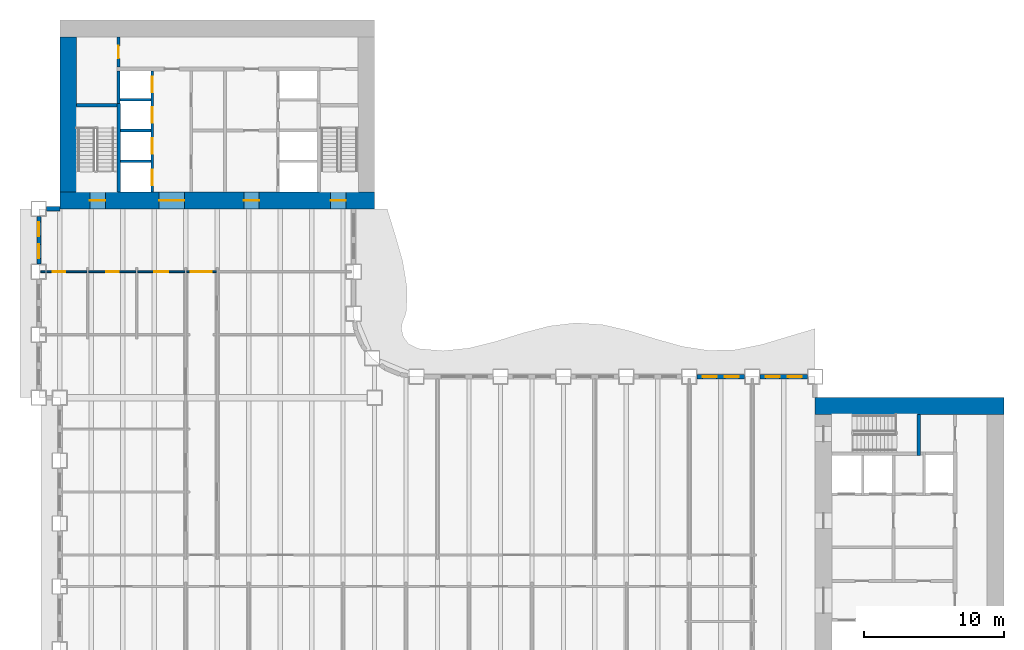
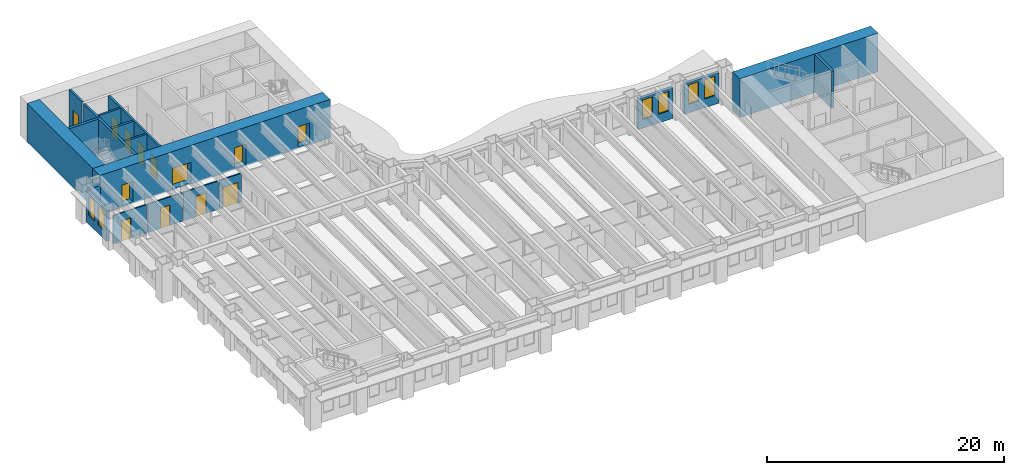
# One storey, part 7 of 15: 20 walls, 13 doors, 6 windows, 19 openings.
"""IFC4 building model written with IfcOpenShell, lengths in metres."""

from ifc_helpers import new_model, si_unit, direction, frame, frame_2d, origin, place, context, subcontext, project, spatial, rectangle, extrude, material, layer, layer_set, type_object, element, fill, save


model = new_model("IFC4")

# Units and contexts
model_context = context("Model", 3, precision=1e-05, world=origin(), true_north=direction((0.0, 1.0)))
body_context = subcontext(model_context, "Body", "Model", "MODEL_VIEW")
ifc_project = project(units=[si_unit("LENGTHUNIT", "METRE"), si_unit("AREAUNIT", "SQUARE_METRE"), si_unit("VOLUMEUNIT", "CUBIC_METRE"), si_unit("PLANEANGLEUNIT", "RADIAN"), si_unit("MASSUNIT", "GRAM", prefix="KILO")], contexts=[model_context])

# Site, building, storey
site_placement = place(None, origin())
site = spatial("IfcSite", under=ifc_project, at=site_placement, CompositionType="ELEMENT")
building_placement = place(site_placement, origin())
building = spatial("IfcBuilding", under=site, at=building_placement, Name="Sennacour Bend Tower", CompositionType="ELEMENT")
storey_placement = place(building_placement, frame((0.0, 0.0, 37.0)))
storey = spatial("IfcBuildingStorey", under=building, at=storey_placement, Name="L07", CompositionType="ELEMENT", Elevation=37.0)

# Wall
ifc_material_1 = material(Name="Concrete C80/95", Category="concrete")
ifc_layer_1 = layer(ifc_material_1, 1.199951171875, Name="Concrete C80/95", Category="concrete")
ifc_layer_set_1 = layer_set([ifc_layer_1], Name="Concrete C80/95")
wall_type_1 = type_object("IfcWallType", Name="Core wall 1200 C80/95", PredefinedType="SHEAR", material=ifc_layer_set_1)
wall_1_placement = place(storey_placement, frame((54.0, 21.89990234375, -0.14990234375), z_axis=(0.0, 0.0, 1.0), x_axis=(1.0, 0.0, 0.0)))
element("IfcWall", 1, at=wall_1_placement, inside=storey, type_object=wall_type_1, Name="Core A wall L07 N", PredefinedType="SHEAR", context=body_context, shape_type="SweptSolid", body=[
    extrude(rectangle(XDim=13.5, YDim=1.199951171875, at=frame_2d((6.75, 0.0))), origin(), (0.0, 0.0, 1.0), 4.0),
])

# Wall, openings, doors
wall_2_placement = place(storey_placement, frame((0.0, 36.60009765625, -0.14990234375), z_axis=(0.0, 0.0, 1.0), x_axis=(1.0, 0.0, 0.0)))
wall_2 = element("IfcWall", 2, at=wall_2_placement, inside=storey, type_object=wall_type_1, Name="Core B wall L07 S", PredefinedType="SHEAR", context=body_context, shape_type="SweptSolid", body=[
    extrude(rectangle(XDim=22.5, YDim=1.199951171875, at=frame_2d((11.25, 0.0))), origin(), (0.0, 0.0, 1.0), 4.0),
])
opening_1_placement = place(wall_2_placement, frame((7.10009765625, 0.0, 0.14990234375)))
opening_1 = element("IfcOpeningElement", 3, at=opening_1_placement, cuts=wall_2, Name="Opening CD", PredefinedType="OPENING", context=body_context, shape_type="SweptSolid", body=[
    extrude(rectangle(XDim=1.800048828125, YDim=2.10009765625, at=frame_2d((0.89990234375, 1.050048828125))), frame((0.0, 0.60986328125, 0.0), z_axis=(0.0, -1.0, 0.0), x_axis=(1.0, 0.0, 0.0)), (0.0, 0.0, 1.0), 1.219970703125),
])
opening_2_placement = place(wall_2_placement, frame((13.14990234375, 0.0, 0.14990234375)))
opening_2 = element("IfcOpeningElement", 4, at=opening_2_placement, cuts=wall_2, Name="Opening FD", PredefinedType="OPENING", context=body_context, shape_type="SweptSolid", body=[
    extrude(rectangle(XDim=1.10009765625, YDim=2.10009765625, at=frame_2d((0.550048828125, 1.050048828125))), frame((0.0, 0.60986328125, 0.0), z_axis=(0.0, -1.0, 0.0), x_axis=(1.0, 0.0, 0.0)), (0.0, 0.0, 1.0), 1.219970703125),
])
opening_3_placement = place(wall_2_placement, frame((2.14990234375, 0.0, 0.14990234375)))
opening_3 = element("IfcOpeningElement", 5, at=opening_3_placement, cuts=wall_2, Name="Opening SD", PredefinedType="OPENING", context=body_context, shape_type="SweptSolid", body=[
    extrude(rectangle(XDim=1.10009765625, YDim=2.10009765625, at=frame_2d((0.550048828125, 1.050048828125))), frame((0.0, 0.60986328125, 0.0), z_axis=(0.0, -1.0, 0.0), x_axis=(1.0, 0.0, 0.0)), (0.0, 0.0, 1.0), 1.219970703125),
])
opening_4_placement = place(wall_2_placement, frame((19.35009765625, 0.0, 0.14990234375)))
opening_4 = element("IfcOpeningElement", 6, at=opening_4_placement, cuts=wall_2, Name="Opening SD", PredefinedType="OPENING", context=body_context, shape_type="SweptSolid", body=[
    extrude(rectangle(XDim=1.10009765625, YDim=2.10009765625, at=frame_2d((0.550048828125, 1.050048828125))), frame((0.0, 0.60986328125, 0.0), z_axis=(0.0, -1.0, 0.0), x_axis=(1.0, 0.0, 0.0)), (0.0, 0.0, 1.0), 1.219970703125),
])
ifc_material_2 = material(Name="Painted steel", Category="steel")
door_type_1 = type_object("IfcDoorType", Name="DR-FFL-1100", OperationType="NOTDEFINED", PredefinedType="DOOR", material=ifc_material_2)
door_1_placement = place(opening_2_placement, origin())
door_1 = element("IfcDoor", 7, at=door_1_placement, inside=storey, type_object=door_type_1, Name="Door", OperationType="SINGLE_SWING_RIGHT", OverallHeight=2.10009765625, OverallWidth=1.10009765625, PredefinedType="DOOR", context=body_context, shape_type="SweptSolid", body=[
    extrude(rectangle(XDim=1.10009765625, YDim=2.10009765625, at=frame_2d((0.550048828125, 1.050048828125))), frame((0.0, 0.02490234375, 0.0), z_axis=(0.0, -1.0, 0.0), x_axis=(1.0, 0.0, 0.0)), (0.0, 0.0, 1.0), 0.050048828125),
])
fill(opening_2, door_1)
door_type_2 = type_object("IfcDoorType", Name="DR-LOBBY-1800", OperationType="NOTDEFINED", PredefinedType="DOOR", material=ifc_material_2)
door_2_placement = place(opening_1_placement, origin())
door_2 = element("IfcDoor", 8, at=door_2_placement, inside=storey, type_object=door_type_2, Name="Door", OperationType="DOUBLE_DOOR_SINGLE_SWING", OverallHeight=2.10009765625, OverallWidth=1.800048828125, PredefinedType="DOOR", context=body_context, shape_type="SweptSolid", body=[
    extrude(rectangle(XDim=1.800048828125, YDim=2.10009765625, at=frame_2d((0.89990234375, 1.050048828125))), frame((0.0, 0.02490234375, 0.0), z_axis=(0.0, -1.0, 0.0), x_axis=(1.0, 0.0, 0.0)), (0.0, 0.0, 1.0), 0.050048828125),
])
fill(opening_1, door_2)
door_type_3 = type_object("IfcDoorType", Name="DR-STAIR-1100", OperationType="NOTDEFINED", PredefinedType="DOOR", material=ifc_material_2)
door_3_placement = place(opening_3_placement, origin())
door_3 = element("IfcDoor", 9, at=door_3_placement, inside=storey, type_object=door_type_3, Name="Door", OperationType="SINGLE_SWING_LEFT", OverallHeight=2.10009765625, OverallWidth=1.10009765625, PredefinedType="DOOR", context=body_context, shape_type="SweptSolid", body=[
    extrude(rectangle(XDim=1.10009765625, YDim=2.10009765625, at=frame_2d((0.550048828125, 1.050048828125))), frame((0.0, 0.02490234375, 0.0), z_axis=(0.0, -1.0, 0.0), x_axis=(1.0, 0.0, 0.0)), (0.0, 0.0, 1.0), 0.050048828125),
])
fill(opening_3, door_3)
door_4_placement = place(opening_4_placement, origin())
door_4 = element("IfcDoor", 10, at=door_4_placement, inside=storey, type_object=door_type_3, Name="Door", OperationType="SINGLE_SWING_RIGHT", OverallHeight=2.10009765625, OverallWidth=1.10009765625, PredefinedType="DOOR", context=body_context, shape_type="SweptSolid", body=[
    extrude(rectangle(XDim=1.10009765625, YDim=2.10009765625, at=frame_2d((0.550048828125, 1.050048828125))), frame((0.0, 0.02490234375, 0.0), z_axis=(0.0, -1.0, 0.0), x_axis=(1.0, 0.0, 0.0)), (0.0, 0.0, 1.0), 0.050048828125),
])
fill(opening_4, door_4)

# Wall
wall_3_placement = place(storey_placement, frame((0.60009765625, 37.199951171875, -0.14990234375), z_axis=(0.0, 0.0, 1.0), x_axis=(0.0, 1.0, 0.0)))
element("IfcWall", 11, at=wall_3_placement, inside=storey, type_object=wall_type_1, Name="Core B wall L07 W", PredefinedType="SHEAR", context=body_context, shape_type="SweptSolid", body=[
    extrude(rectangle(XDim=11.10009765625, YDim=1.199951171875, at=frame_2d((5.550048828125, 0.0))), origin(), (0.0, 0.0, 1.0), 4.0),
])

# Wall, opening, door
ifc_material_3 = material(Name="Plasterboard partition on steel studs", Category="steel")
ifc_layer_2 = layer(ifc_material_3, 0.1201171875, Name="Plasterboard partition on steel studs", Category="steel")
ifc_layer_set_2 = layer_set([ifc_layer_2], Name="Plasterboard partition on steel studs")
wall_type_2 = type_object("IfcWallType", Name="Partition 120", PredefinedType="PARTITIONING", material=ifc_layer_set_2)
wall_4_placement = place(storey_placement, frame((-1.35009765625, 31.5, 0.0), z_axis=(0.0, 0.0, 1.0), x_axis=(1.0, 0.0, 0.0)))
wall_4 = element("IfcWall", 12, at=wall_4_placement, inside=storey, type_object=wall_type_2, Name="P-L07-W074aa", PredefinedType="PARTITIONING", context=body_context, shape_type="SweptSolid", body=[
    extrude(rectangle(XDim=3.2900390625, YDim=0.1201171875, at=frame_2d((1.64501953125, 0.0))), origin(), (0.0, 0.0, 1.0), 2.93798828125),
])
opening_5_placement = place(wall_4_placement, frame((0.85009765625, 0.0, 0.0)))
opening_5 = element("IfcOpeningElement", 13, at=opening_5_placement, cuts=wall_4, Name="Opening WD", PredefinedType="OPENING", context=body_context, shape_type="SweptSolid", body=[
    extrude(rectangle(XDim=0.89990234375, YDim=2.10009765625, at=frame_2d((0.449951171875, 1.050048828125))), frame((0.0, 0.070068359375, 0.0), z_axis=(0.0, -1.0, 0.0), x_axis=(1.0, 0.0, 0.0)), (0.0, 0.0, 1.0), 0.14013671875),
])
ifc_material_4 = material(Name="Timber", Category="wood")
door_type_4 = type_object("IfcDoorType", Name="DR-WC-900", OperationType="NOTDEFINED", PredefinedType="DOOR", material=ifc_material_4)
door_5_placement = place(opening_5_placement, origin())
door_5 = element("IfcDoor", 14, at=door_5_placement, inside=storey, type_object=door_type_4, Name="Door", OperationType="SINGLE_SWING_LEFT", OverallHeight=2.10009765625, OverallWidth=0.89990234375, PredefinedType="DOOR", context=body_context, shape_type="SweptSolid", body=[
    extrude(rectangle(XDim=0.89990234375, YDim=2.10009765625, at=frame_2d((0.449951171875, 1.050048828125))), frame((0.0, 0.02490234375, 0.0), z_axis=(0.0, -1.0, 0.0), x_axis=(1.0, 0.0, 0.0)), (0.0, 0.0, 1.0), 0.050048828125),
])
fill(opening_5, door_5)

wall_5_placement = place(storey_placement, frame((2.06005859375, 31.5, 0.0), z_axis=(0.0, 0.0, 1.0), x_axis=(1.0, 0.0, 0.0)))
wall_5 = element("IfcWall", 15, at=wall_5_placement, inside=storey, type_object=wall_type_2, Name="P-L07-W074ab", PredefinedType="PARTITIONING", context=body_context, shape_type="SweptSolid", body=[
    extrude(rectangle(XDim=3.3798828125, YDim=0.1201171875, at=frame_2d((1.68994140625, 0.0))), origin(), (0.0, 0.0, 1.0), 2.93798828125),
])
opening_6_placement = place(wall_5_placement, frame((1.239990234375, 0.0, 0.0)))
opening_6 = element("IfcOpeningElement", 16, at=opening_6_placement, cuts=wall_5, Name="Opening WD", PredefinedType="OPENING", context=body_context, shape_type="SweptSolid", body=[
    extrude(rectangle(XDim=0.89990234375, YDim=2.10009765625, at=frame_2d((0.449951171875, 1.050048828125))), frame((0.0, 0.070068359375, 0.0), z_axis=(0.0, -1.0, 0.0), x_axis=(1.0, 0.0, 0.0)), (0.0, 0.0, 1.0), 0.14013671875),
])
door_6_placement = place(opening_6_placement, origin())
door_6 = element("IfcDoor", 17, at=door_6_placement, inside=storey, type_object=door_type_4, Name="Door", OperationType="SINGLE_SWING_LEFT", OverallHeight=2.10009765625, OverallWidth=0.89990234375, PredefinedType="DOOR", context=body_context, shape_type="SweptSolid", body=[
    extrude(rectangle(XDim=0.89990234375, YDim=2.10009765625, at=frame_2d((0.449951171875, 1.050048828125))), frame((0.0, 0.02490234375, 0.0), z_axis=(0.0, -1.0, 0.0), x_axis=(1.0, 0.0, 0.0)), (0.0, 0.0, 1.0), 0.050048828125),
])
fill(opening_6, door_6)

wall_6_placement = place(storey_placement, frame((5.56005859375, 31.5, 0.0), z_axis=(0.0, 0.0, 1.0), x_axis=(1.0, 0.0, 0.0)))
wall_6 = element("IfcWall", 18, at=wall_6_placement, inside=storey, type_object=wall_type_2, Name="P-L07-W074ac", PredefinedType="PARTITIONING", context=body_context, shape_type="SweptSolid", body=[
    extrude(rectangle(XDim=3.3798828125, YDim=0.1201171875, at=frame_2d((1.68994140625, 0.0))), origin(), (0.0, 0.0, 1.0), 2.93798828125),
])
opening_7_placement = place(wall_6_placement, frame((1.18994140625, 0.0, 0.0)))
opening_7 = element("IfcOpeningElement", 19, at=opening_7_placement, cuts=wall_6, Name="Opening AD", PredefinedType="OPENING", context=body_context, shape_type="SweptSolid", body=[
    extrude(rectangle(XDim=1.0, YDim=2.10009765625, at=frame_2d((0.5, 1.050048828125))), frame((0.0, 0.070068359375, 0.0), z_axis=(0.0, -1.0, 0.0), x_axis=(1.0, 0.0, 0.0)), (0.0, 0.0, 1.0), 0.14013671875),
])
door_type_5 = type_object("IfcDoorType", Name="DR-ACC-WC-1000", OperationType="NOTDEFINED", PredefinedType="DOOR", material=ifc_material_4)
door_7_placement = place(opening_7_placement, origin())
door_7 = element("IfcDoor", 20, at=door_7_placement, inside=storey, type_object=door_type_5, Name="Door", OperationType="SINGLE_SWING_LEFT", OverallHeight=2.10009765625, OverallWidth=1.0, PredefinedType="DOOR", context=body_context, shape_type="SweptSolid", body=[
    extrude(rectangle(XDim=1.0, YDim=2.10009765625, at=frame_2d((0.5, 1.050048828125))), frame((0.0, 0.02490234375, 0.0), z_axis=(0.0, -1.0, 0.0), x_axis=(1.0, 0.0, 0.0)), (0.0, 0.0, 1.0), 0.050048828125),
])
fill(opening_7, door_7)

ifc_layer_3 = layer(ifc_material_3, 0.1201171875, Name="Plasterboard partition on steel studs", Category="steel")
ifc_layer_set_3 = layer_set([ifc_layer_3], Name="Plasterboard partition on steel studs")
wall_type_3 = type_object("IfcWallType", Name="Partition 120 EI 30", PredefinedType="PARTITIONING", material=ifc_layer_set_3)
wall_7_placement = place(storey_placement, frame((9.06005859375, 31.5, 0.0), z_axis=(0.0, 0.0, 1.0), x_axis=(1.0, 0.0, 0.0)))
wall_7 = element("IfcWall", 21, at=wall_7_placement, inside=storey, type_object=wall_type_3, Name="P-L07-W074ad", PredefinedType="PARTITIONING", context=body_context, shape_type="SweptSolid", body=[
    extrude(rectangle(XDim=2.1298828125, YDim=0.1201171875, at=frame_2d((1.06494140625, 0.0))), origin(), (0.0, 0.0, 1.0), 2.93798828125),
])
opening_8_placement = place(wall_7_placement, frame((0.31494140625, 0.0, 0.0)))
opening_8 = element("IfcOpeningElement", 22, at=opening_8_placement, cuts=wall_7, Name="Opening KD", PredefinedType="OPENING", context=body_context, shape_type="SweptSolid", body=[
    extrude(rectangle(XDim=1.5, YDim=2.10009765625, at=frame_2d((0.75, 1.050048828125))), frame((0.0, 0.070068359375, 0.0), z_axis=(0.0, -1.0, 0.0), x_axis=(1.0, 0.0, 0.0)), (0.0, 0.0, 1.0), 0.14013671875),
])
door_type_6 = type_object("IfcDoorType", Name="DR-CORRIDOR-1500", OperationType="NOTDEFINED", PredefinedType="DOOR", material=ifc_material_2)
door_8_placement = place(opening_8_placement, origin())
door_8 = element("IfcDoor", 23, at=door_8_placement, inside=storey, type_object=door_type_6, Name="Door", OperationType="SINGLE_SWING_LEFT", OverallHeight=2.10009765625, OverallWidth=1.5, PredefinedType="DOOR", context=body_context, shape_type="SweptSolid", body=[
    extrude(rectangle(XDim=1.5, YDim=2.10009765625, at=frame_2d((0.75, 1.050048828125))), frame((0.0, 0.02490234375, 0.0), z_axis=(0.0, -1.0, 0.0), x_axis=(1.0, 0.0, 0.0)), (0.0, 0.0, 1.0), 0.050048828125),
])
fill(opening_8, door_8)

ifc_material_5 = material(Name="Fire-rated plasterboard partition on steel studs", Category="steel")
ifc_layer_4 = layer(ifc_material_5, 0.199951171875, Name="Fire-rated plasterboard partition on steel studs", Category="steel")
ifc_layer_set_4 = layer_set([ifc_layer_4], Name="Fire-rated plasterboard partition on steel studs")
wall_type_4 = type_object("IfcWallType", Name="Rated partition 200", PredefinedType="PARTITIONING", material=ifc_layer_set_4)
wall_8_placement = place(storey_placement, frame((4.199951171875, 46.14990234375, 0.0), z_axis=(0.0, 0.0, 1.0), x_axis=(0.0, 1.0, 0.0)))
wall_8 = element("IfcWall", 24, at=wall_8_placement, inside=storey, type_object=wall_type_4, Name="P-L07-W007", PredefinedType="PARTITIONING", context=body_context, shape_type="SweptSolid", body=[
    extrude(rectangle(XDim=2.150146484375, YDim=0.199951171875, at=frame_2d((1.0751953125, 0.0))), origin(), (0.0, 0.0, 1.0), 3.85009765625),
])
opening_9_placement = place(wall_8_placement, frame((0.60009765625, 0.0, 0.0)))
opening_9 = element("IfcOpeningElement", 25, at=opening_9_placement, cuts=wall_8, Name="Opening SV", PredefinedType="OPENING", context=body_context, shape_type="SweptSolid", body=[
    extrude(rectangle(XDim=0.89990234375, YDim=2.10009765625, at=frame_2d((0.449951171875, 1.050048828125))), frame((0.0, 0.10986328125, 0.0), z_axis=(0.0, -1.0, 0.0), x_axis=(1.0, 0.0, 0.0)), (0.0, 0.0, 1.0), 0.219970703125),
])
door_type_7 = type_object("IfcDoorType", Name="DR-SERVICE-900", OperationType="NOTDEFINED", PredefinedType="DOOR", material=ifc_material_2)
door_9_placement = place(opening_9_placement, origin())
door_9 = element("IfcDoor", 26, at=door_9_placement, inside=storey, type_object=door_type_7, Name="Door", OperationType="SINGLE_SWING_LEFT", OverallHeight=2.10009765625, OverallWidth=0.89990234375, PredefinedType="DOOR", context=body_context, shape_type="SweptSolid", body=[
    extrude(rectangle(XDim=0.89990234375, YDim=2.10009765625, at=frame_2d((0.449951171875, 1.050048828125))), frame((0.0, 0.02490234375, 0.0), z_axis=(0.0, -1.0, 0.0), x_axis=(1.0, 0.0, 0.0)), (0.0, 0.0, 1.0), 0.050048828125),
])
fill(opening_9, door_9)

# Wall, openings, windows
ifc_material_6 = material(Name="Warm limestone cladding", Category="masonry")
ifc_layer_5 = layer(ifc_material_6, 0.050048828125, Name="Warm limestone cladding", Category="masonry")
ifc_material_7 = material(Name="Precast concrete C40/50", Category="concrete")
ifc_layer_6 = layer(ifc_material_7, 0.25, Name="Precast concrete C40/50", Category="concrete")
ifc_layer_set_5 = layer_set([ifc_layer_5, ifc_layer_6], Name="Precast concrete C40/50 with limestone cladding")
wall_type_5 = type_object("IfcWallType", Name="STONE-CLAD PRECAST SPANDREL 300", PredefinedType="STANDARD", material=ifc_layer_set_5)
wall_9_placement = place(storey_placement, frame((53.449951171875, 24.0, 0.0), z_axis=(0.0, 0.0, 1.0), x_axis=(-1.0, 0.0, 0.0)))
wall_9 = element("IfcWall", 27, at=wall_9_placement, inside=storey, type_object=wall_type_5, Name="Stone spandrel and pier wall L07 08.00", PredefinedType="STANDARD", context=body_context, shape_type="SweptSolid", body=[
    extrude(rectangle(XDim=3.39990234375, YDim=0.300048828125, at=frame_2d((1.699951171875, 0.0))), origin(), (0.0, 0.0, 1.0), 3.14404296875),
])
opening_10_placement = place(wall_9_placement, frame((0.39990234375, 0.0, 0.89990234375)))
opening_10 = element("IfcOpeningElement", 28, at=opening_10_placement, cuts=wall_9, Name="Opening W8", PredefinedType="OPENING", context=body_context, shape_type="SweptSolid", body=[
    extrude(rectangle(XDim=1.0, YDim=2.0, at=frame_2d((0.5, 1.0))), frame((0.0, 0.16015625, 0.0), z_axis=(0.0, -1.0, 0.0), x_axis=(1.0, 0.0, 0.0)), (0.0, 0.0, 1.0), 0.320068359375),
])
opening_11_placement = place(wall_9_placement, frame((2.0, 0.0, 0.89990234375)))
opening_11 = element("IfcOpeningElement", 29, at=opening_11_placement, cuts=wall_9, Name="Opening W8", PredefinedType="OPENING", context=body_context, shape_type="SweptSolid", body=[
    extrude(rectangle(XDim=1.0, YDim=2.0, at=frame_2d((0.5, 1.0))), frame((0.0, 0.16015625, 0.0), z_axis=(0.0, -1.0, 0.0), x_axis=(1.0, 0.0, 0.0)), (0.0, 0.0, 1.0), 0.320068359375),
])
ifc_material_8 = material(Name="Clear low-emissivity glass", Category="glass")
window_type = type_object("IfcWindowType", Name="WIN-RIBBON-1000x2000", PartitioningType="SINGLE_PANEL", PredefinedType="WINDOW", material=ifc_material_8)
window_1_placement = place(opening_10_placement, origin())
window_1 = element("IfcWindow", 30, at=window_1_placement, inside=storey, type_object=window_type, Name="Ribbon window L07 08.00.0", OverallHeight=2.0, OverallWidth=1.0, PartitioningType="SINGLE_PANEL", PredefinedType="WINDOW", context=body_context, shape_type="SweptSolid", body=[
    extrude(rectangle(XDim=1.0, YDim=2.0, at=frame_2d((0.5, 1.0))), frame((0.0, 0.030029296875, 0.0), z_axis=(0.0, -1.0, 0.0), x_axis=(1.0, 0.0, 0.0)), (0.0, 0.0, 1.0), 0.06005859375),
])
fill(opening_10, window_1)
window_2_placement = place(opening_11_placement, origin())
window_2 = element("IfcWindow", 31, at=window_2_placement, inside=storey, type_object=window_type, Name="Ribbon window L07 08.00.1", OverallHeight=2.0, OverallWidth=1.0, PartitioningType="SINGLE_PANEL", PredefinedType="WINDOW", context=body_context, shape_type="SweptSolid", body=[
    extrude(rectangle(XDim=1.0, YDim=2.0, at=frame_2d((0.5, 1.0))), frame((0.0, 0.030029296875, 0.0), z_axis=(0.0, -1.0, 0.0), x_axis=(1.0, 0.0, 0.0)), (0.0, 0.0, 1.0), 0.06005859375),
])
fill(opening_11, window_2)

wall_10_placement = place(storey_placement, frame((48.949951171875, 24.0, 0.0), z_axis=(0.0, 0.0, 1.0), x_axis=(-1.0, 0.0, 0.0)))
wall_10 = element("IfcWall", 32, at=wall_10_placement, inside=storey, type_object=wall_type_5, Name="Stone spandrel and pier wall L07 08.01", PredefinedType="STANDARD", context=body_context, shape_type="SweptSolid", body=[
    extrude(rectangle(XDim=3.39990234375, YDim=0.300048828125, at=frame_2d((1.699951171875, 0.0))), origin(), (0.0, 0.0, 1.0), 3.14404296875),
])
opening_12_placement = place(wall_10_placement, frame((0.39990234375, 0.0, 0.89990234375)))
opening_12 = element("IfcOpeningElement", 33, at=opening_12_placement, cuts=wall_10, Name="Opening W8", PredefinedType="OPENING", context=body_context, shape_type="SweptSolid", body=[
    extrude(rectangle(XDim=1.0, YDim=2.0, at=frame_2d((0.5, 1.0))), frame((0.0, 0.16015625, 0.0), z_axis=(0.0, -1.0, 0.0), x_axis=(1.0, 0.0, 0.0)), (0.0, 0.0, 1.0), 0.320068359375),
])
opening_13_placement = place(wall_10_placement, frame((2.0, 0.0, 0.89990234375)))
opening_13 = element("IfcOpeningElement", 34, at=opening_13_placement, cuts=wall_10, Name="Opening W8", PredefinedType="OPENING", context=body_context, shape_type="SweptSolid", body=[
    extrude(rectangle(XDim=1.0, YDim=2.0, at=frame_2d((0.5, 1.0))), frame((0.0, 0.16015625, 0.0), z_axis=(0.0, -1.0, 0.0), x_axis=(1.0, 0.0, 0.0)), (0.0, 0.0, 1.0), 0.320068359375),
])
window_3_placement = place(opening_12_placement, origin())
window_3 = element("IfcWindow", 35, at=window_3_placement, inside=storey, type_object=window_type, Name="Ribbon window L07 08.01.0", OverallHeight=2.0, OverallWidth=1.0, PartitioningType="SINGLE_PANEL", PredefinedType="WINDOW", context=body_context, shape_type="SweptSolid", body=[
    extrude(rectangle(XDim=1.0, YDim=2.0, at=frame_2d((0.5, 1.0))), frame((0.0, 0.030029296875, 0.0), z_axis=(0.0, -1.0, 0.0), x_axis=(1.0, 0.0, 0.0)), (0.0, 0.0, 1.0), 0.06005859375),
])
fill(opening_12, window_3)
window_4_placement = place(opening_13_placement, origin())
window_4 = element("IfcWindow", 36, at=window_4_placement, inside=storey, type_object=window_type, Name="Ribbon window L07 08.01.1", OverallHeight=2.0, OverallWidth=1.0, PartitioningType="SINGLE_PANEL", PredefinedType="WINDOW", context=body_context, shape_type="SweptSolid", body=[
    extrude(rectangle(XDim=1.0, YDim=2.0, at=frame_2d((0.5, 1.0))), frame((0.0, 0.030029296875, 0.0), z_axis=(0.0, -1.0, 0.0), x_axis=(1.0, 0.0, 0.0)), (0.0, 0.0, 1.0), 0.06005859375),
])
fill(opening_13, window_4)

# Wall
wall_11_placement = place(storey_placement, frame((0.0, 36.0, 0.0), z_axis=(0.0, 0.0, 1.0), x_axis=(-1.0, 0.0, 0.0)))
element("IfcWall", 37, at=wall_11_placement, inside=storey, type_object=wall_type_5, Name="Stone spandrel and pier wall L07 20.00", PredefinedType="STANDARD", context=body_context, shape_type="SweptSolid", body=[
    extrude(rectangle(XDim=0.949951171875, YDim=0.300048828125, at=frame_2d((0.47509765625, 0.0))), origin(), (0.0, 0.0, 1.0), 2.93798828125),
])

# Wall, openings, windows
wall_12_placement = place(storey_placement, frame((-1.5, 35.449951171875, 0.0), z_axis=(0.0, 0.0, 1.0), x_axis=(0.0, -1.0, 0.0)))
wall_12 = element("IfcWall", 38, at=wall_12_placement, inside=storey, type_object=wall_type_5, Name="Stone spandrel and pier wall L07 21.00", PredefinedType="STANDARD", context=body_context, shape_type="SweptSolid", body=[
    extrude(rectangle(XDim=3.39990234375, YDim=0.300048828125, at=frame_2d((1.699951171875, 0.0))), origin(), (0.0, 0.0, 1.0), 3.14404296875),
])
opening_14_placement = place(wall_12_placement, frame((0.39990234375, 0.0, 0.89990234375)))
opening_14 = element("IfcOpeningElement", 39, at=opening_14_placement, cuts=wall_12, Name="Opening W8", PredefinedType="OPENING", context=body_context, shape_type="SweptSolid", body=[
    extrude(rectangle(XDim=1.0, YDim=2.0, at=frame_2d((0.5, 1.0))), frame((0.0, 0.16015625, 0.0), z_axis=(0.0, -1.0, 0.0), x_axis=(1.0, 0.0, 0.0)), (0.0, 0.0, 1.0), 0.320068359375),
])
opening_15_placement = place(wall_12_placement, frame((2.0, 0.0, 0.89990234375)))
opening_15 = element("IfcOpeningElement", 40, at=opening_15_placement, cuts=wall_12, Name="Opening W8", PredefinedType="OPENING", context=body_context, shape_type="SweptSolid", body=[
    extrude(rectangle(XDim=1.0, YDim=2.0, at=frame_2d((0.5, 1.0))), frame((0.0, 0.16015625, 0.0), z_axis=(0.0, -1.0, 0.0), x_axis=(1.0, 0.0, 0.0)), (0.0, 0.0, 1.0), 0.320068359375),
])
window_5_placement = place(opening_14_placement, origin())
window_5 = element("IfcWindow", 41, at=window_5_placement, inside=storey, type_object=window_type, Name="Ribbon window L07 21.00.0", OverallHeight=2.0, OverallWidth=1.0, PartitioningType="SINGLE_PANEL", PredefinedType="WINDOW", context=body_context, shape_type="SweptSolid", body=[
    extrude(rectangle(XDim=1.0, YDim=2.0, at=frame_2d((0.5, 1.0))), frame((0.0, 0.030029296875, 0.0), z_axis=(0.0, -1.0, 0.0), x_axis=(1.0, 0.0, 0.0)), (0.0, 0.0, 1.0), 0.06005859375),
])
fill(opening_14, window_5)
window_6_placement = place(opening_15_placement, origin())
window_6 = element("IfcWindow", 42, at=window_6_placement, inside=storey, type_object=window_type, Name="Ribbon window L07 21.00.1", OverallHeight=2.0, OverallWidth=1.0, PartitioningType="SINGLE_PANEL", PredefinedType="WINDOW", context=body_context, shape_type="SweptSolid", body=[
    extrude(rectangle(XDim=1.0, YDim=2.0, at=frame_2d((0.5, 1.0))), frame((0.0, 0.030029296875, 0.0), z_axis=(0.0, -1.0, 0.0), x_axis=(1.0, 0.0, 0.0)), (0.0, 0.0, 1.0), 0.06005859375),
])
fill(opening_15, window_6)

# Wall
ifc_material_9 = material(Name="Concrete C50/60", Category="concrete")
ifc_layer_7 = layer(ifc_material_9, 0.199951171875, Name="Concrete C50/60", Category="concrete")
ifc_layer_set_6 = layer_set([ifc_layer_7], Name="Concrete C50/60")
wall_type_6 = type_object("IfcWallType", Name="Shaft wall 200", PredefinedType="SOLIDWALL", material=ifc_layer_set_6)
wall_13_placement = place(storey_placement, frame((4.199951171875, 43.52490234375, 0.0), z_axis=(0.0, 0.0, 1.0), x_axis=(0.0, 1.0, 0.0)))
element("IfcWall", 43, at=wall_13_placement, inside=storey, type_object=wall_type_6, Name="P-L07-W006", PredefinedType="SOLIDWALL", context=body_context, shape_type="SweptSolid", body=[
    extrude(rectangle(XDim=2.3251953125, YDim=0.199951171875, at=frame_2d((1.16259765625, 0.0))), origin(), (0.0, 0.0, 1.0), 3.85009765625),
])

# Wall, openings, doors
wall_14_placement = place(storey_placement, frame((6.60009765625, 37.199951171875, 0.0), z_axis=(0.0, 0.0, 1.0), x_axis=(0.0, 1.0, 0.0)))
wall_14 = element("IfcWall", 44, at=wall_14_placement, inside=storey, type_object=wall_type_6, Name="P-L07-W009", PredefinedType="SOLIDWALL", context=body_context, shape_type="SweptSolid", body=[
    extrude(rectangle(XDim=8.650146484375, YDim=0.199951171875, at=frame_2d((4.3251953125, 0.0))), origin(), (0.0, 0.0, 1.0), 3.85009765625),
])
opening_16_placement = place(wall_14_placement, frame((0.5, 0.0, 0.011962890625)))
opening_16 = element("IfcOpeningElement", 45, at=opening_16_placement, cuts=wall_14, Name="Opening LD", PredefinedType="OPENING", context=body_context, shape_type="SweptSolid", body=[
    extrude(rectangle(XDim=1.10009765625, YDim=2.10009765625, at=frame_2d((0.550048828125, 1.050048828125))), frame((0.0, 0.10986328125, 0.0), z_axis=(0.0, -1.0, 0.0), x_axis=(1.0, 0.0, 0.0)), (0.0, 0.0, 1.0), 0.219970703125),
])
opening_17_placement = place(wall_14_placement, frame((2.75, 0.0, 0.011962890625)))
opening_17 = element("IfcOpeningElement", 46, at=opening_17_placement, cuts=wall_14, Name="Opening LD", PredefinedType="OPENING", context=body_context, shape_type="SweptSolid", body=[
    extrude(rectangle(XDim=1.10009765625, YDim=2.10009765625, at=frame_2d((0.550048828125, 1.050048828125))), frame((0.0, 0.10986328125, 0.0), z_axis=(0.0, -1.0, 0.0), x_axis=(1.0, 0.0, 0.0)), (0.0, 0.0, 1.0), 0.219970703125),
])
opening_18_placement = place(wall_14_placement, frame((4.949951171875, 0.0, 0.011962890625)))
opening_18 = element("IfcOpeningElement", 47, at=opening_18_placement, cuts=wall_14, Name="Opening LD", PredefinedType="OPENING", context=body_context, shape_type="SweptSolid", body=[
    extrude(rectangle(XDim=1.10009765625, YDim=2.10009765625, at=frame_2d((0.550048828125, 1.050048828125))), frame((0.0, 0.10986328125, 0.0), z_axis=(0.0, -1.0, 0.0), x_axis=(1.0, 0.0, 0.0)), (0.0, 0.0, 1.0), 0.219970703125),
])
opening_19_placement = place(wall_14_placement, frame((7.125, 0.0, 0.011962890625)))
opening_19 = element("IfcOpeningElement", 48, at=opening_19_placement, cuts=wall_14, Name="Opening LD", PredefinedType="OPENING", context=body_context, shape_type="SweptSolid", body=[
    extrude(rectangle(XDim=1.10009765625, YDim=2.10009765625, at=frame_2d((0.550048828125, 1.050048828125))), frame((0.0, 0.10986328125, 0.0), z_axis=(0.0, -1.0, 0.0), x_axis=(1.0, 0.0, 0.0)), (0.0, 0.0, 1.0), 0.219970703125),
])
ifc_material_10 = material(Name="Stainless steel", Category="steel")
door_type_8 = type_object("IfcDoorType", Name="DR-LANDING-1100", OperationType="NOTDEFINED", PredefinedType="DOOR", material=ifc_material_10)
door_10_placement = place(opening_16_placement, origin())
door_10 = element("IfcDoor", 49, at=door_10_placement, inside=storey, type_object=door_type_8, Name="Lift landing door LB1", OperationType="SLIDING_TO_RIGHT", OverallHeight=2.10009765625, OverallWidth=1.10009765625, PredefinedType="DOOR", context=body_context, shape_type="SweptSolid", body=[
    extrude(rectangle(XDim=1.10009765625, YDim=2.10009765625, at=frame_2d((0.550048828125, 1.050048828125))), frame((0.0, 0.02490234375, 0.0), z_axis=(0.0, -1.0, 0.0), x_axis=(1.0, 0.0, 0.0)), (0.0, 0.0, 1.0), 0.050048828125),
])
fill(opening_16, door_10)
door_11_placement = place(opening_17_placement, origin())
door_11 = element("IfcDoor", 50, at=door_11_placement, inside=storey, type_object=door_type_8, Name="Lift landing door LB2", OperationType="SLIDING_TO_LEFT", OverallHeight=2.10009765625, OverallWidth=1.10009765625, PredefinedType="DOOR", context=body_context, shape_type="SweptSolid", body=[
    extrude(rectangle(XDim=1.10009765625, YDim=2.10009765625, at=frame_2d((0.550048828125, 1.050048828125))), frame((0.0, 0.02490234375, 0.0), z_axis=(0.0, -1.0, 0.0), x_axis=(1.0, 0.0, 0.0)), (0.0, 0.0, 1.0), 0.050048828125),
])
fill(opening_17, door_11)
door_12_placement = place(opening_18_placement, origin())
door_12 = element("IfcDoor", 51, at=door_12_placement, inside=storey, type_object=door_type_8, Name="Lift landing door LB3", OperationType="SLIDING_TO_RIGHT", OverallHeight=2.10009765625, OverallWidth=1.10009765625, PredefinedType="DOOR", context=body_context, shape_type="SweptSolid", body=[
    extrude(rectangle(XDim=1.10009765625, YDim=2.10009765625, at=frame_2d((0.550048828125, 1.050048828125))), frame((0.0, 0.02490234375, 0.0), z_axis=(0.0, -1.0, 0.0), x_axis=(1.0, 0.0, 0.0)), (0.0, 0.0, 1.0), 0.050048828125),
])
fill(opening_18, door_12)
door_13_placement = place(opening_19_placement, origin())
door_13 = element("IfcDoor", 52, at=door_13_placement, inside=storey, type_object=door_type_8, Name="Lift landing door LB4", OperationType="SLIDING_TO_LEFT", OverallHeight=2.10009765625, OverallWidth=1.10009765625, PredefinedType="DOOR", context=body_context, shape_type="SweptSolid", body=[
    extrude(rectangle(XDim=1.10009765625, YDim=2.10009765625, at=frame_2d((0.550048828125, 1.050048828125))), frame((0.0, 0.02490234375, 0.0), z_axis=(0.0, -1.0, 0.0), x_axis=(1.0, 0.0, 0.0)), (0.0, 0.0, 1.0), 0.050048828125),
])
fill(opening_19, door_13)

# Walls
for number, where, z_axis, x_axis, name in (
    (53, (4.324951171875, 39.39990234375, 0.0), (0.0, 0.0, 1.0), (1.0, 0.0, 0.0), "P-L07-W076"),
    (54, (4.324951171875, 41.60009765625, 0.0), (0.0, 0.0, 1.0), (1.0, 0.0, 0.0), "P-L07-W078"),
):
    element("IfcWall", number, at=place(storey_placement, frame(where, z_axis=z_axis, x_axis=x_axis)), inside=storey, type_object=wall_type_6, Name=name, PredefinedType="SOLIDWALL", context=body_context, shape_type="SweptSolid", body=[
        extrude(rectangle(XDim=2.175048828125, YDim=0.199951171875, at=frame_2d((1.08740234375, 0.0))), origin(), (0.0, 0.0, 1.0), 3.85009765625),
    ])
wall_15_placement = place(storey_placement, frame((4.300048828125, 43.800048828125, 0.0), z_axis=(0.0, 0.0, 1.0), x_axis=(1.0, 0.0, 0.0)))
element("IfcWall", 55, at=wall_15_placement, inside=storey, type_object=wall_type_6, Name="P-L07-W083", PredefinedType="SOLIDWALL", context=body_context, shape_type="SweptSolid", body=[
    extrude(rectangle(XDim=2.199951171875, YDim=0.199951171875, at=frame_2d((1.10009765625, 0.0))), origin(), (0.0, 0.0, 1.0), 3.85009765625),
])
ifc_material_11 = material(Name="Concrete C60/75", Category="concrete")
ifc_layer_8 = layer(ifc_material_11, 0.25, Name="Concrete C60/75", Category="concrete")
ifc_layer_set_7 = layer_set([ifc_layer_8], Name="Concrete C60/75")
wall_type_7 = type_object("IfcWallType", Name="Stair wall 250", PredefinedType="SHEAR", material=ifc_layer_set_7)
wall_16_placement = place(storey_placement, frame((4.199951171875, 37.199951171875, 0.0), z_axis=(0.0, 0.0, 1.0), x_axis=(0.0, 1.0, 0.0)))
element("IfcWall", 56, at=wall_16_placement, inside=storey, type_object=wall_type_7, Name="P-L07-W005", PredefinedType="SHEAR", context=body_context, shape_type="SweptSolid", body=[
    extrude(rectangle(XDim=6.324951171875, YDim=0.25, at=frame_2d((3.16259765625, 0.0))), origin(), (0.0, 0.0, 1.0), 3.85009765625),
])
wall_17_placement = place(storey_placement, frame((61.39990234375, 18.375, 0.0), z_axis=(0.0, 0.0, 1.0), x_axis=(0.0, 1.0, 0.0)))
element("IfcWall", 57, at=wall_17_placement, inside=storey, type_object=wall_type_7, Name="P-L07-W042", PredefinedType="SHEAR", context=body_context, shape_type="SweptSolid", body=[
    extrude(rectangle(XDim=2.925048828125, YDim=0.25, at=frame_2d((1.46240234375, 0.0))), origin(), (0.0, 0.0, 1.0), 3.85009765625),
])
wall_18_placement = place(storey_placement, frame((1.199951171875, 43.39990234375, 0.0), z_axis=(0.0, 0.0, 1.0), x_axis=(1.0, 0.0, 0.0)))
element("IfcWall", 58, at=wall_18_placement, inside=storey, type_object=wall_type_7, Name="P-L07-W081", PredefinedType="SHEAR", context=body_context, shape_type="SweptSolid", body=[
    extrude(rectangle(XDim=2.875, YDim=0.25, at=frame_2d((1.4375, 0.0))), origin(), (0.0, 0.0, 1.0), 3.85009765625),
])

save(model, "model.ifc")
